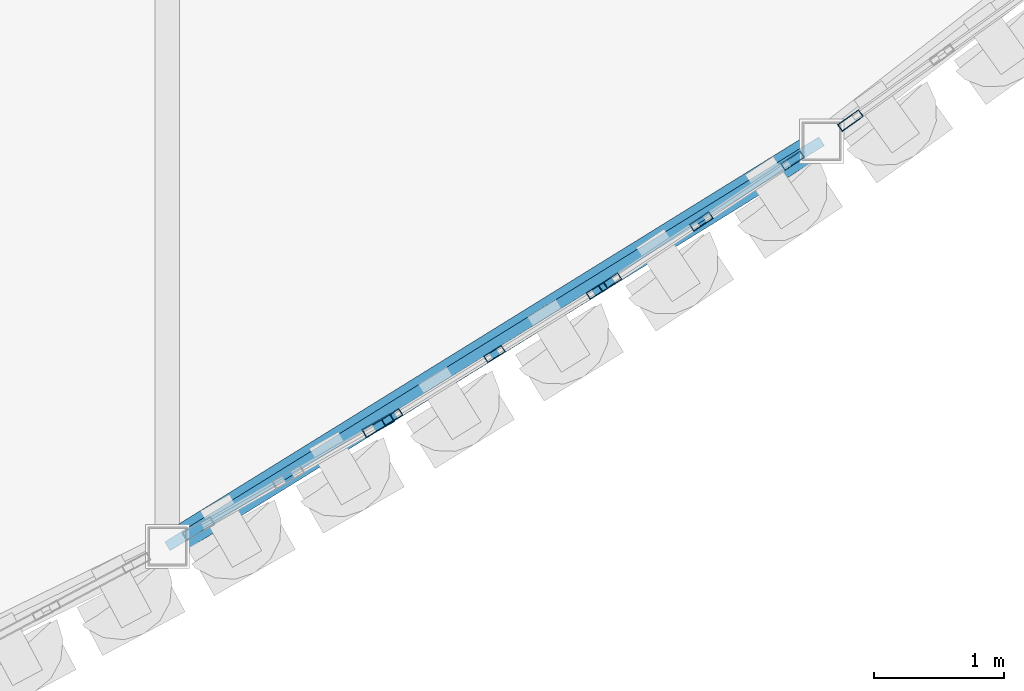
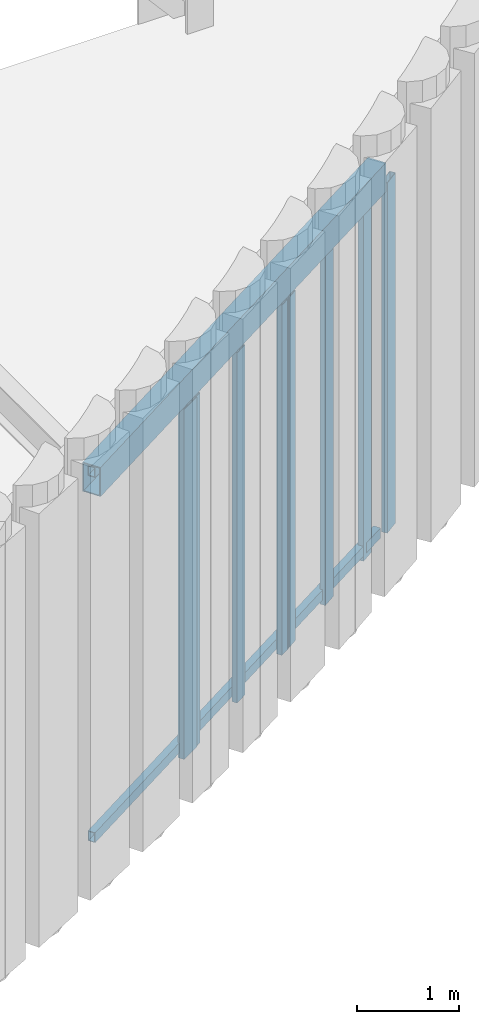
# One storey, part 49 of 126: 10 members, 1 beam, 4 elements without a shape of their own.
"""IFC4 building model written with IfcOpenShell, lengths in metres."""

import ifcopenshell
import ifcopenshell.guid

model = None  # the IFC model being written
_history = None  # IfcOwnerHistory: only IFC2X3 demands one
_inside = {}  # id of a spatial element -> (the spatial element, [elements in it])
_under = {}  # id of a project, library or spatial element -> (it, [spatial elements below it])
_declared = {}  # id of a project -> (the project, [libraries it declares])
_typed = {}  # id of a type object -> (the type object, [elements of that type])
_made_of = {}  # id of a material, layer set ... -> (it, [elements and type objects made of it])


def new_model(schema):
    """Start an empty IFC model of exactly this schema.

    Asked for "IFC4X3", IfcOpenShell would pick the latest addendum, in which some entities
    have other attributes; the version numbers below select the first issue.
    IFC2X3 requires an IfcOwnerHistory on every rooted entity: one is made here for all.
    """
    global model, _history
    if schema == "IFC4X3":
        model = ifcopenshell.file(schema_version=(4, 3, 0, 0))
    else:
        model = ifcopenshell.file(schema=schema)
    _inside.clear()
    _under.clear()
    _declared.clear()
    _typed.clear()
    _made_of.clear()
    _history = None
    if model.schema == "IFC2X3":
        org = make("IfcOrganization", Name="unknown")
        user = make(
            "IfcPersonAndOrganization",
            ThePerson=make("IfcPerson", FamilyName="unknown"),
            TheOrganization=org,
        )
        app = make(
            "IfcApplication",
            ApplicationDeveloper=org,
            Version="unknown",
            ApplicationFullName="unknown",
            ApplicationIdentifier="unknown",
        )
        _history = make(
            "IfcOwnerHistory",
            OwningUser=user,
            OwningApplication=app,
            ChangeAction="ADDED",
            CreationDate=0,
        )
    return model


def make(cls, **values):
    """One entity of the class cls with the attributes given. An attribute that is None is left unset."""
    return model.create_entity(
        cls, **{name: value for name, value in values.items() if value is not None}
    )


def rooted(cls, **values):
    """An entity with a GlobalId (a new one), such as an element, a storey or a relation."""
    return make(cls, GlobalId=ifcopenshell.guid.new(), OwnerHistory=_history, **values)


def si_unit(unit_type, name, prefix=None):
    """IfcSIUnit, for example si_unit("LENGTHUNIT", "METRE", prefix="MILLI")."""
    return make("IfcSIUnit", UnitType=unit_type, Prefix=prefix, Name=name)


def assignment(units):
    """IfcUnitAssignment: the units of a project."""
    return None if units is None else make("IfcUnitAssignment", Units=units)


def point(xyz):
    """IfcCartesianPoint."""
    return None if xyz is None else make("IfcCartesianPoint", Coordinates=xyz)


def direction(xyz):
    """IfcDirection."""
    return None if xyz is None else make("IfcDirection", DirectionRatios=xyz)


def frame(location, z_axis=None, x_axis=None):
    """IfcAxis2Placement3D, a coordinate frame: its origin and axes. An axis left out is left unset."""
    return make(
        "IfcAxis2Placement3D",
        Location=point(location),
        Axis=direction(z_axis),
        RefDirection=direction(x_axis),
    )


def frame_2d(location, x_axis=None):
    """IfcAxis2Placement2D, a coordinate frame in the plane: its origin and x axis."""
    return make(
        "IfcAxis2Placement2D", Location=point(location), RefDirection=direction(x_axis)
    )


def origin():
    """The frame at (0, 0, 0) with its axes left unset."""
    return frame((0.0, 0.0, 0.0))


def origin_2d():
    """The frame at (0, 0) in the plane with its x axis left unset."""
    return frame_2d((0.0, 0.0))


def place(relative_to, where):
    """IfcLocalPlacement: puts the frame where relative to a parent placement (None: the world)."""
    return make(
        "IfcLocalPlacement", PlacementRelTo=relative_to, RelativePlacement=where
    )


def context(
    kind, dimensions, precision=None, world=None, true_north=None, identifier=None
):
    """IfcGeometricRepresentationContext, for example the 3D "Model" context."""
    return make(
        "IfcGeometricRepresentationContext",
        ContextIdentifier=identifier,
        ContextType=kind,
        CoordinateSpaceDimension=dimensions,
        Precision=precision,
        WorldCoordinateSystem=world,
        TrueNorth=true_north,
    )


def subcontext(parent, identifier, kind, view, scale=None):
    """IfcGeometricRepresentationSubContext, for example "Body" below "Model"."""
    return make(
        "IfcGeometricRepresentationSubContext",
        ContextIdentifier=identifier,
        ContextType=kind,
        ParentContext=parent,
        TargetScale=scale,
        TargetView=view,
    )


def project(units=None, contexts=None):
    """IfcProject with its units and contexts."""
    return rooted(
        "IfcProject",
        Name="project",
        RepresentationContexts=contexts,
        UnitsInContext=assignment(units),
    )


def spatial(cls, under=None, at=None, **own):
    """A site, building, storey or space (cls), placed at a placement, below another one or the project."""
    s = rooted(cls, ObjectPlacement=at, **own)
    if under is not None:
        _under.setdefault(under.id(), (under, []))[1].append(s)
    return s


def profile(cls, at=None, kind="AREA", **sizes):
    """A parametric profile (cls). Its sizes go by their IFC names, for example OverallWidth=200.0."""
    return make(cls, ProfileType=kind, Position=at, **sizes)


def hollow_rectangle(**sizes):
    """IfcRectangleHollowProfileDef."""
    return profile("IfcRectangleHollowProfileDef", **sizes)


def extrude(swept, where, along, depth):
    """IfcExtrudedAreaSolid: the profile swept, set in the frame where, extruded along a direction by depth."""
    return make(
        "IfcExtrudedAreaSolid",
        SweptArea=swept,
        Position=where,
        ExtrudedDirection=direction(along),
        Depth=depth,
    )


def shape(context_of_items, identifier, shape_type, items):
    """IfcShapeRepresentation: the items that make up one representation, for example the "Body"."""
    return make(
        "IfcShapeRepresentation",
        ContextOfItems=context_of_items,
        RepresentationIdentifier=identifier,
        RepresentationType=shape_type,
        Items=items,
    )


def material(Name=None, Category=None):
    """IfcMaterial."""
    return make("IfcMaterial", Name=Name, Category=Category)


def layer(
    of_material, thickness, ventilated=None, Name=None, Category=None, Priority=None
):
    """IfcMaterialLayer: one layer of a wall or slab, of a material (None: an air gap)."""
    return make(
        "IfcMaterialLayer",
        Material=of_material,
        LayerThickness=thickness,
        IsVentilated=ventilated,
        Name=Name,
        Category=Category,
        Priority=Priority,
    )


def layer_set(layers, Name=None):
    """IfcMaterialLayerSet."""
    return make("IfcMaterialLayerSet", MaterialLayers=layers, LayerSetName=Name)


def material_profile(
    of_material, cross_section, Name=None, Category=None, Priority=None
):
    """IfcMaterialProfile: a cross section and its material."""
    return make(
        "IfcMaterialProfile",
        Name=Name,
        Material=of_material,
        Profile=cross_section,
        Priority=Priority,
        Category=Category,
    )


def profile_set(profiles, Name=None, composite=None):
    """IfcMaterialProfileSet."""
    return make(
        "IfcMaterialProfileSet",
        Name=Name,
        MaterialProfiles=profiles,
        CompositeProfile=composite,
    )


def made_of(thing, what):
    """Note that an element or type object is made of a material, layer set ...; save() writes the relation."""
    if what is not None:
        _made_of.setdefault(what.id(), (what, []))[1].append(thing)
    return thing


def type_object(cls, material=None, **own):
    """A type object (cls), such as IfcWallType, which elements share."""
    return made_of(rooted(cls, **own), material)


def element(
    cls,
    number,
    at=None,
    inside=None,
    cuts=None,
    type_object=None,
    material=None,
    context=None,
    identifier="Body",
    shape_type=None,
    held_by="IfcProductDefinitionShape",
    body=None,
    shapes=None,
    **own,
):
    """One element of the class cls, such as IfcWall. Its Tag is "e" and its number.

    at: its placement. inside: the storey or other place that contains it. cuts: it is an
    opening in that element (IfcRelVoidsElement). A single representation is given by context,
    identifier, shape_type and body (its items); several are given by shapes. held_by: the class
    of the entity that holds the representations. save() writes the other relations.
    """
    e = rooted(cls, Tag="e%d" % number, ObjectPlacement=at, **own)
    if body is not None:
        shapes = [shape(context, identifier, shape_type, body)]
    if shapes is not None:
        e.Representation = make(held_by, Representations=shapes)
    if inside is not None:
        _inside.setdefault(inside.id(), (inside, []))[1].append(e)
    if cuts is not None:
        rooted(
            "IfcRelVoidsElement", RelatingBuildingElement=cuts, RelatedOpeningElement=e
        )
    if type_object is not None:
        _typed.setdefault(type_object.id(), (type_object, []))[1].append(e)
    return made_of(e, material)


def aggregate(whole, parts):
    """IfcRelAggregates: a whole, such as a stair, and the parts it consists of."""
    return rooted("IfcRelAggregates", RelatingObject=whole, RelatedObjects=parts)


def save(model, path):
    """Write the relations noted so far, then the file.

    IfcRelAggregates (storeys below a building ...), IfcRelContainedInSpatialStructure (elements
    in a storey), IfcRelDefinesByType, IfcRelAssociatesMaterial and IfcRelDeclares: one each for
    every whole, place, type object, material and project.
    """
    for whole, parts in _under.values():
        aggregate(whole, parts)
    for where, things in _inside.values():
        rooted(
            "IfcRelContainedInSpatialStructure",
            RelatedElements=things,
            RelatingStructure=where,
        )
    for kind, things in _typed.values():
        rooted("IfcRelDefinesByType", RelatedObjects=things, RelatingType=kind)
    for what, things in _made_of.values():
        rooted("IfcRelAssociatesMaterial", RelatedObjects=things, RelatingMaterial=what)
    for by, libraries in _declared.values():
        rooted("IfcRelDeclares", RelatingContext=by, RelatedDefinitions=libraries)
    model.write(path)


model = new_model("IFC4")

# Units and contexts
model_context = context("Model", 3, precision=1e-05, world=origin(), true_north=direction((0.0, 1.0)))
body_context = subcontext(model_context, "Body", "Model", "MODEL_VIEW")
ifc_project = project(units=[si_unit("LENGTHUNIT", "METRE"), si_unit("AREAUNIT", "SQUARE_METRE"), si_unit("VOLUMEUNIT", "CUBIC_METRE"), si_unit("PLANEANGLEUNIT", "RADIAN"), si_unit("MASSUNIT", "GRAM", prefix="KILO")], contexts=[model_context])

# Site, building, storey
site_placement = place(None, origin())
site = spatial("IfcSite", under=ifc_project, at=site_placement, CompositionType="ELEMENT")
building_placement = place(site_placement, origin())
building = spatial("IfcBuilding", under=site, at=building_placement, Name="Solvadek Multi-Sports Hall", CompositionType="ELEMENT")
storey_placement = place(building_placement, frame((0.0, 0.0, 9.60009765625)))
storey = spatial("IfcBuildingStorey", under=building, at=storey_placement, Name="L02", CompositionType="ELEMENT", Elevation=9.60009765625)

# Curtain wall, members
ifc_material_1 = material(Name="Anodised aluminium", Category="aluminium")
ifc_layer_1 = layer(ifc_material_1, 0.159912109375, Name="Anodised aluminium")
ifc_layer_set_1 = layer_set([ifc_layer_1], Name="Anodised aluminium")
curtain_wall_type_1 = type_object("IfcCurtainWallType", Name="ENV-CW-192X420", PredefinedType="USERDEFINED", material=ifc_layer_set_1)
curtain_wall_1_placement = place(storey_placement, origin())
curtain_wall_1 = element("IfcCurtainWall", 1, at=curtain_wall_1_placement, inside=storey, type_object=curtain_wall_type_1, Name="L02 Crescent Curved Curtain Wall #100", ObjectType="CURTAIN WALL", PredefinedType="USERDEFINED")
ifc_material_profile_1 = material_profile(ifc_material_1, hollow_rectangle(XDim=0.06005859375, YDim=0.159912109375, WallThickness=0.00390625, at=origin_2d()), Name="ALU-M 160x60x4")
ifc_profile_set_1 = profile_set([ifc_material_profile_1], Name="Anodised aluminium")
member_type_1 = type_object("IfcMemberType", Name="ENV-CWM-01", PredefinedType="MULLION", material=ifc_profile_set_1)
member_1_placement = place(storey_placement, frame((123.4111328125, -4.984130859375, 0.0), z_axis=(0.0, 0.0, 1.0), x_axis=(-0.525815228639, 0.850598815736, 0.0)))
member_1 = element("IfcMember", 2, at=member_1_placement, type_object=member_type_1, Name="CW-31 mullion 1", PredefinedType="MULLION", context=body_context, shape_type="SweptSolid", body=[
    extrude(hollow_rectangle(XDim=0.06005859375, YDim=0.159912109375, WallThickness=0.00390625, at=origin_2d()), origin(), (0.0, 0.0, 1.0), 4.199951171875),
])
member_2_placement = place(storey_placement, frame((124.199951171875, -4.49658203125, 0.0), z_axis=(0.0, 0.0, 1.0), x_axis=(-0.525815228639, 0.850598815736, 0.0)))
member_2 = element("IfcMember", 3, at=member_2_placement, type_object=member_type_1, Name="CW-31 mullion 2", PredefinedType="MULLION", context=body_context, shape_type="SweptSolid", body=[
    extrude(hollow_rectangle(XDim=0.06005859375, YDim=0.159912109375, WallThickness=0.00390625, at=origin_2d()), origin(), (0.0, 0.0, 1.0), 4.199951171875),
])
member_3_placement = place(storey_placement, frame((124.989013671875, -4.0087890625, 0.0), z_axis=(0.0, 0.0, 1.0), x_axis=(-0.525815228639, 0.850598815736, 0.0)))
member_3 = element("IfcMember", 4, at=member_3_placement, type_object=member_type_1, Name="CW-31 mullion 3", PredefinedType="MULLION", context=body_context, shape_type="SweptSolid", body=[
    extrude(hollow_rectangle(XDim=0.06005859375, YDim=0.159912109375, WallThickness=0.00390625, at=origin_2d()), origin(), (0.0, 0.0, 1.0), 4.199951171875),
])
aggregate(curtain_wall_1, [member_1, member_2, member_3])

ifc_layer_2 = layer(ifc_material_1, 0.159912109375, Name="Anodised aluminium")
ifc_layer_set_2 = layer_set([ifc_layer_2], Name="Anodised aluminium")
curtain_wall_type_2 = type_object("IfcCurtainWallType", Name="ENV-CW-175X420", PredefinedType="USERDEFINED", material=ifc_layer_set_2)
curtain_wall_2_placement = place(storey_placement, origin())
curtain_wall_2 = element("IfcCurtainWall", 5, at=curtain_wall_2_placement, inside=storey, type_object=curtain_wall_type_2, Name="L02 Crescent Curved Curtain Wall #102", ObjectType="CURTAIN WALL", PredefinedType="USERDEFINED")
ifc_material_profile_2 = material_profile(ifc_material_1, hollow_rectangle(XDim=0.06005859375, YDim=0.179931640625, WallThickness=0.00390625, at=origin_2d()), Name="ALU-M 180x60x4")
ifc_profile_set_2 = profile_set([ifc_material_profile_2], Name="Anodised aluminium")
member_type_2 = type_object("IfcMemberType", Name="ENV-CWM-02", PredefinedType="MULLION", material=ifc_profile_set_2)
member_4_placement = place(storey_placement, frame((125.08984375, -3.94384765625, 0.0), z_axis=(0.0, 0.0, 1.0), x_axis=(-0.554779352418, 0.831997518104, 0.0)))
member_4 = element("IfcMember", 6, at=member_4_placement, type_object=member_type_2, Name="CW-32 mullion 1", PredefinedType="MULLION", context=body_context, shape_type="SweptSolid", body=[
    extrude(hollow_rectangle(XDim=0.06005859375, YDim=0.179931640625, WallThickness=0.00390625, at=origin_2d()), origin(), (0.0, 0.0, 1.0), 4.199951171875),
])
member_5_placement = place(storey_placement, frame((125.792724609375, -3.475341796875, 0.0), z_axis=(0.0, 0.0, 1.0), x_axis=(-0.554779352418, 0.831997518104, 0.0)))
member_5 = element("IfcMember", 7, at=member_5_placement, type_object=member_type_2, Name="CW-32 mullion 2", PredefinedType="MULLION", context=body_context, shape_type="SweptSolid", body=[
    extrude(hollow_rectangle(XDim=0.06005859375, YDim=0.179931640625, WallThickness=0.00390625, at=origin_2d()), origin(), (0.0, 0.0, 1.0), 4.199951171875),
])
member_6_placement = place(storey_placement, frame((126.495361328125, -3.0068359375, 0.0), z_axis=(0.0, 0.0, 1.0), x_axis=(-0.554779352418, 0.831997518104, 0.0)))
member_6 = element("IfcMember", 8, at=member_6_placement, type_object=member_type_2, Name="CW-32 mullion 3", PredefinedType="MULLION", context=body_context, shape_type="SweptSolid", body=[
    extrude(hollow_rectangle(XDim=0.06005859375, YDim=0.179931640625, WallThickness=0.00390625, at=origin_2d()), origin(), (0.0, 0.0, 1.0), 4.199951171875),
])
aggregate(curtain_wall_2, [member_4, member_5, member_6])

# Curtain wall, member
ifc_layer_3 = layer(ifc_material_1, 0.159912109375, Name="Anodised aluminium")
ifc_layer_set_3 = layer_set([ifc_layer_3], Name="Anodised aluminium")
curtain_wall_type_3 = type_object("IfcCurtainWallType", Name="ENV-CW-180X420", PredefinedType="USERDEFINED", material=ifc_layer_set_3)
curtain_wall_3_placement = place(storey_placement, origin())
curtain_wall_3 = element("IfcCurtainWall", 9, at=curtain_wall_3_placement, inside=storey, type_object=curtain_wall_type_3, Name="L02 Crescent Curved Curtain Wall #104", ObjectType="CURTAIN WALL", PredefinedType="USERDEFINED")
ifc_material_profile_3 = material_profile(ifc_material_1, hollow_rectangle(XDim=0.06494140625, YDim=0.199951171875, WallThickness=0.0048828125, at=origin_2d()), Name="ALU-M 200x65x5")
ifc_profile_set_3 = profile_set([ifc_material_profile_3], Name="Anodised aluminium")
member_type_3 = type_object("IfcMemberType", Name="ENV-CWM-03", PredefinedType="MULLION", material=ifc_profile_set_3)
member_7_placement = place(storey_placement, frame((126.94140625, -2.697998046875, 0.0), z_axis=(0.0, 0.0, 1.0), x_axis=(-0.583570751005, 0.812062299686, 0.0)))
member_7 = element("IfcMember", 10, at=member_7_placement, type_object=member_type_3, Name="CW-33 mullion 1", PredefinedType="MULLION", context=body_context, shape_type="SweptSolid", body=[
    extrude(hollow_rectangle(XDim=0.06494140625, YDim=0.199951171875, WallThickness=0.0048828125, at=origin_2d()), origin(), (0.0, 0.0, 1.0), 4.199951171875),
])
aggregate(curtain_wall_3, [member_7])

ifc_layer_4 = layer(ifc_material_1, 0.159912109375, Name="Anodised aluminium")
ifc_layer_set_4 = layer_set([ifc_layer_4], Name="Anodised aluminium")
curtain_wall_type_4 = type_object("IfcCurtainWallType", Name="ENV-CW-167X420", PredefinedType="USERDEFINED", material=ifc_layer_set_4)
curtain_wall_4_placement = place(storey_placement, origin())
curtain_wall_4 = element("IfcCurtainWall", 11, at=curtain_wall_4_placement, inside=storey, type_object=curtain_wall_type_4, Name="L02 Crescent Curved Curtain Wall #98", ObjectType="CURTAIN WALL", PredefinedType="USERDEFINED")
ifc_material_profile_4 = material_profile(ifc_material_1, hollow_rectangle(XDim=0.070068359375, YDim=0.25, WallThickness=0.0048828125, at=origin_2d()), Name="ALU-M 250x70x5")
ifc_profile_set_4 = profile_set([ifc_material_profile_4], Name="Anodised aluminium")
member_type_4 = type_object("IfcMemberType", Name="ENV-CWM-05", PredefinedType="MULLION", material=ifc_profile_set_4)
member_8_placement = place(storey_placement, frame((123.3037109375, -5.048095703125, 0.0), z_axis=(0.0, 0.0, 1.0), x_axis=(-0.496991951402, 0.867755149937, 0.0)))
member_8 = element("IfcMember", 12, at=member_8_placement, type_object=member_type_4, Name="CW-30 mullion 3", PredefinedType="MULLION", context=body_context, shape_type="SweptSolid", body=[
    extrude(hollow_rectangle(XDim=0.070068359375, YDim=0.25, WallThickness=0.0048828125, at=origin_2d()), origin(), (0.0, 0.0, 1.0), 4.199951171875),
])
aggregate(curtain_wall_4, [member_8])

# Beam
ifc_material_2 = material(Name="Steel E350 (350 MPa)", Category="steel")
ifc_material_profile_5 = material_profile(ifc_material_2, hollow_rectangle(XDim=0.199951171875, YDim=0.35009765625, WallThickness=0.011962890625, at=origin_2d()), Name="RHS 350x200x12")
ifc_profile_set_5 = profile_set([ifc_material_profile_5], Name="Steel E350 (350 MPa)")
beam_type = type_object("IfcBeamType", Name="STR-SPN-RHS350", PredefinedType="SPANDREL", material=ifc_profile_set_5)
beam_placement = place(storey_placement, frame((121.679931640625, -5.97802734375, 4.40478515625), z_axis=(0.850202824587, 0.526455275465, 0.0), x_axis=(-0.526455275465, 0.850202824587, 0.0)))
element("IfcBeam", 13, at=beam_placement, inside=storey, type_object=beam_type, Name="L02 Curved Crescent Spandrel #74", PredefinedType="SPANDREL", context=body_context, shape_type="SweptSolid", body=[
    extrude(hollow_rectangle(XDim=0.199951171875, YDim=0.35009765625, WallThickness=0.011962890625, at=origin_2d()), origin(), (0.0, 0.0, 1.0), 5.927978515625),
])

# Members
ifc_material_3 = material(Name="Steel E250 (250 MPa)", Category="steel")
ifc_material_profile_6 = material_profile(ifc_material_3, hollow_rectangle(XDim=0.080078125, YDim=0.1201171875, WallThickness=0.006103515625, at=origin_2d()), Name="RHS 120x80x6")
ifc_profile_set_6 = profile_set([ifc_material_profile_6], Name="Steel E250 (250 MPa)")
member_type_5 = type_object("IfcMemberType", Name="STR-STD-RHS120", PredefinedType="STUD", material=ifc_profile_set_6)
for number, where, z_axis, x_axis, name in (
    (14, (121.679931640625, -5.97802734375, 0.119873046875), (0.850202824587, 0.526455275465, 0.0), (-0.526455275465, 0.850202824587, 0.0), "L02 Flute Subframe Rail E-8 bot"),
    (15, (121.679931640625, -5.97802734375, 4.5), (0.850202824587, 0.526455275465, 0.0), (-0.526455275465, 0.850202824587, 0.0), "L02 Flute Subframe Rail E-8 top"),
):
    element("IfcMember", number, at=place(storey_placement, frame(where, z_axis=z_axis, x_axis=x_axis)), inside=storey, type_object=member_type_5, Name=name, PredefinedType="STUD", context=body_context, shape_type="SweptSolid", body=[
        extrude(hollow_rectangle(XDim=0.080078125, YDim=0.1201171875, WallThickness=0.006103515625, at=origin_2d()), origin(), (0.0, 0.0, 1.0), 5.927978515625),
    ])

save(model, "model.ifc")
